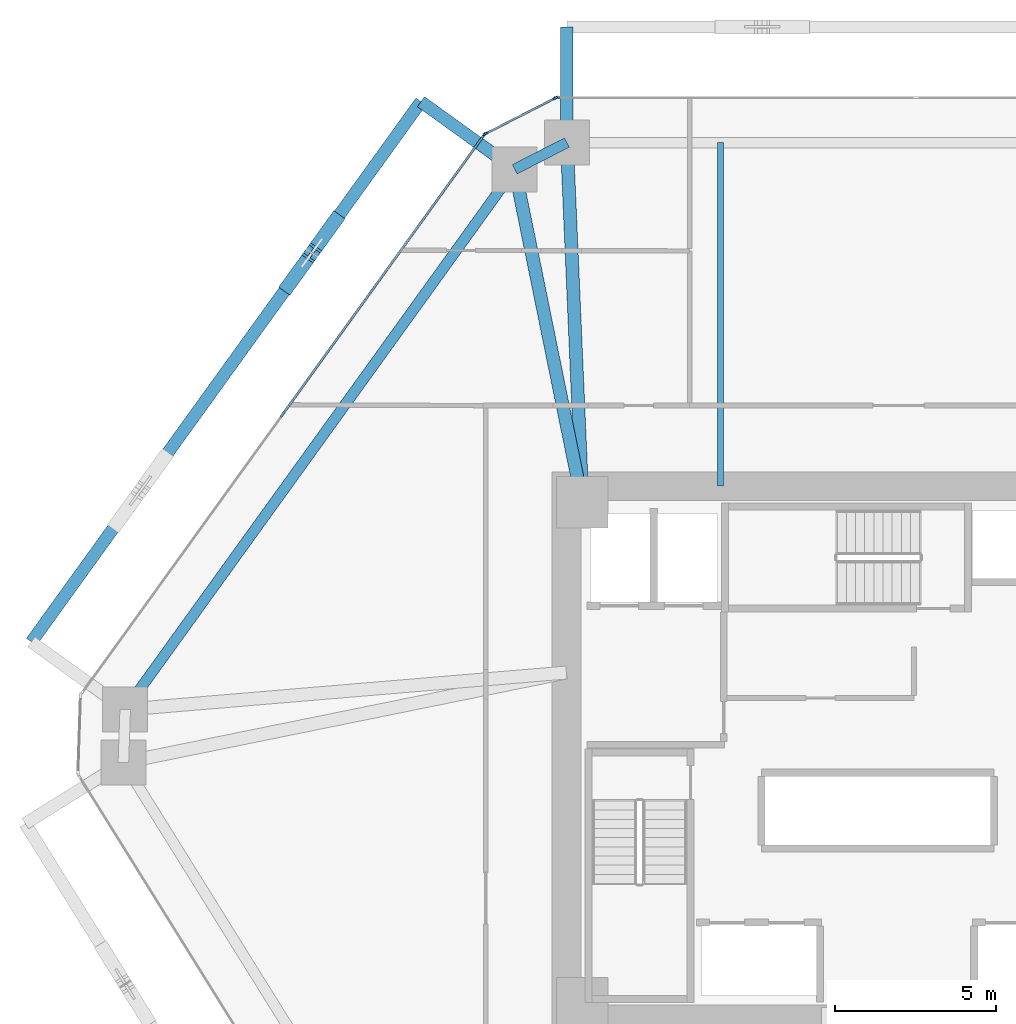
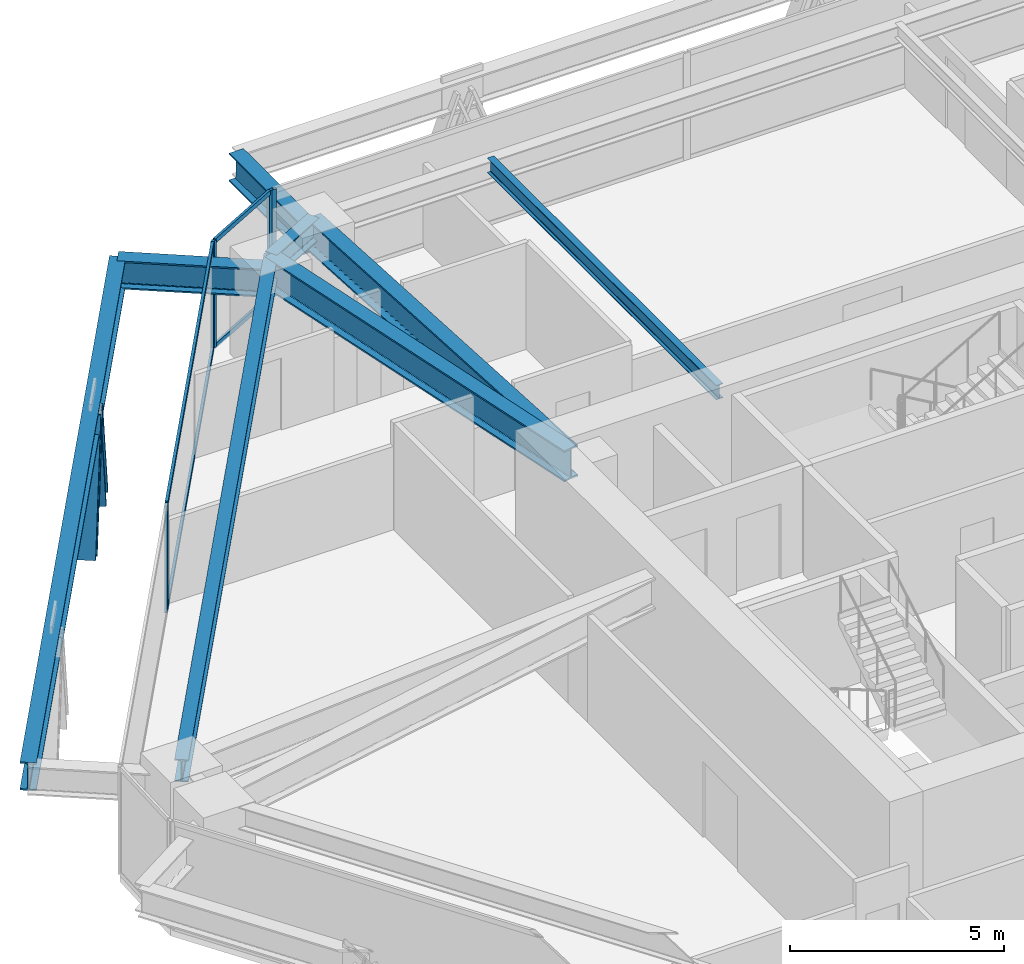
# One storey, part 7 of 17: 11 members, 8 beams, 3 elements without a shape of their own.
"""IFC4 building model written with IfcOpenShell, lengths in metres."""

from ifc_helpers import new_model, si_unit, direction, frame, origin, origin_2d, place, context, subcontext, project, spatial, rectangle, i_section, extrude, source, transform, mapped, material, layer, layer_set, material_profile, profile_set, type_object, type_shapes, element, aggregate, save


model = new_model("IFC4")

# Units and contexts
model_context = context("Model", 3, precision=1e-05, world=origin(), true_north=direction((0.0, 1.0)))
body_context = subcontext(model_context, "Body", "Model", "MODEL_VIEW")
ifc_project = project(units=[si_unit("LENGTHUNIT", "METRE"), si_unit("AREAUNIT", "SQUARE_METRE"), si_unit("VOLUMEUNIT", "CUBIC_METRE"), si_unit("PLANEANGLEUNIT", "RADIAN"), si_unit("MASSUNIT", "GRAM", prefix="KILO")], contexts=[model_context])

# Site, building, storey
site_placement = place(None, origin())
site = spatial("IfcSite", under=ifc_project, at=site_placement, CompositionType="ELEMENT")
building_placement = place(site_placement, origin())
building = spatial("IfcBuilding", under=site, at=building_placement, Name="Durnholm Broadcast Tower", CompositionType="ELEMENT")
storey_placement = place(building_placement, frame((0.0, 0.0, 58.800048828125)))
storey = spatial("IfcBuildingStorey", under=building, at=storey_placement, Name="L14", CompositionType="ELEMENT", Elevation=58.800048828125)

# Beams
ifc_material_1 = material(Name="Steel ASTM A992 Grade 50", Category="steel")
ifc_material_profile_1 = material_profile(ifc_material_1, i_section(OverallWidth=0.3291015625, OverallDepth=0.635009765625, WebThickness=0.017822265625, FlangeThickness=0.031005859375, FilletRadius=0.02783203125, at=origin_2d()), Name="W24X162")
ifc_profile_set_1 = profile_set([ifc_material_profile_1], Name="Steel ASTM A992 Grade 50")
beam_type_1 = type_object("IfcBeamType", Name="STL-SP-W24X162", PredefinedType="SPANDREL", material=ifc_profile_set_1)
shared_shape_1 = source(origin(), body_context, "Body", "SweptSolid", [
    extrude(i_section(OverallWidth=0.3291015625, OverallDepth=0.635009765625, WebThickness=0.017822265625, FlangeThickness=0.031005859375, FilletRadius=0.02783203125, at=origin_2d()), origin(), (0.0, 0.0, 1.0), 20.737060546875),
])
beam_1_placement = place(storey_placement, frame((-24.034912109375, 1.347412109375, 2.7275390625), z_axis=(0.584821933191, 0.811161701795, 0.0), x_axis=(-0.811161701795, 0.584821933191, 0.0)))
element("IfcBeam", 1, at=beam_1_placement, inside=storey, type_object=beam_type_1, Name="L14 perimeter spandrel girder 03", PredefinedType="SPANDREL", context=body_context, shape_type="MappedRepresentation", body=[
    mapped(shared_shape_1, transform((0.0, 0.0, 0.0), x_axis=(1.0, 0.0, 0.0), y_axis=(0.0, 1.0, 0.0), z_axis=(0.0, 0.0, 1.0), scale=1.0)),
])
shared_shape_2 = source(origin(), body_context, "Body", "SweptSolid", [
    extrude(i_section(OverallWidth=0.3291015625, OverallDepth=0.635009765625, WebThickness=0.017822265625, FlangeThickness=0.031005859375, FilletRadius=0.02783203125, at=origin_2d()), origin(), (0.0, 0.0, 1.0), 1.8251953125),
])
type_shapes(beam_type_1, [shared_shape_1, shared_shape_2])
beam_2_placement = place(storey_placement, frame((-11.907470703125, 18.16845703125, 2.7275390625), z_axis=(0.890187609501, 0.455594139438, 0.0), x_axis=(-0.455594139438, 0.890187609501, 0.0)))
element("IfcBeam", 2, at=beam_2_placement, inside=storey, type_object=beam_type_1, Name="L14 perimeter spandrel girder 04", PredefinedType="SPANDREL", context=body_context, shape_type="MappedRepresentation", body=[
    mapped(shared_shape_2, transform((0.0, 0.0, 0.0), x_axis=(1.0, 0.0, 0.0), y_axis=(0.0, 1.0, 0.0), z_axis=(0.0, 0.0, 1.0), scale=1.0)),
])
ifc_material_profile_2 = material_profile(ifc_material_1, i_section(OverallWidth=0.404052734375, OverallDepth=0.885009765625, WebThickness=0.0244140625, FlangeThickness=0.0439453125, FilletRadius=0.03564453125, at=origin_2d()), Name="W33X291")
ifc_profile_set_2 = profile_set([ifc_material_profile_2], Name="Steel ASTM A992 Grade 50")
beam_type_2 = type_object("IfcBeamType", Name="STL-GR-W33X291", PredefinedType="USERDEFINED", material=ifc_profile_set_2)
shared_shape_3 = source(origin(), body_context, "Body", "SweptSolid", [
    extrude(i_section(OverallWidth=0.404052734375, OverallDepth=0.885009765625, WebThickness=0.0244140625, FlangeThickness=0.0439453125, FilletRadius=0.03564453125, at=origin_2d()), origin(), (0.0, 0.0, 1.0), 10.580322265625),
])
beam_3_placement = place(storey_placement, frame((-9.800048828125, 7.800048828125, 2.6025390625), z_axis=(-0.199181458925, 0.979962625012, 0.0), x_axis=(-0.979962625012, -0.199181458925, 0.0)))
element("IfcBeam", 3, at=beam_3_placement, inside=storey, type_object=beam_type_2, Name="L14 radial primary floor girder 04", ObjectType="GIRDER", PredefinedType="USERDEFINED", context=body_context, shape_type="MappedRepresentation", body=[
    mapped(shared_shape_3, transform((0.0, 0.0, 0.0), x_axis=(1.0, 0.0, 0.0), y_axis=(0.0, 1.0, 0.0), z_axis=(0.0, 0.0, 1.0), scale=1.0)),
])
shared_shape_4 = source(origin(), body_context, "Body", "SweptSolid", [
    extrude(i_section(OverallWidth=0.404052734375, OverallDepth=0.885009765625, WebThickness=0.0244140625, FlangeThickness=0.0439453125, FilletRadius=0.03564453125, at=origin_2d()), origin(), (0.0, 0.0, 1.0), 11.21044921875),
])
type_shapes(beam_type_2, [shared_shape_3, shared_shape_4])
beam_4_placement = place(storey_placement, frame((-9.800048828125, 7.800048828125, 2.6025390625), z_axis=(-0.043055404914, 0.999072686098, 0.0), x_axis=(-0.999072686098, -0.043055404914, 0.0)))
element("IfcBeam", 4, at=beam_4_placement, inside=storey, type_object=beam_type_2, Name="L14 radial primary floor girder 05", ObjectType="GIRDER", PredefinedType="USERDEFINED", context=body_context, shape_type="MappedRepresentation", body=[
    mapped(shared_shape_4, transform((0.0, 0.0, 0.0), x_axis=(1.0, 0.0, 0.0), y_axis=(0.0, 1.0, 0.0), z_axis=(0.0, 0.0, 1.0), scale=1.0)),
])
ifc_material_profile_3 = material_profile(ifc_material_1, i_section(OverallWidth=0.180908203125, OverallDepth=0.417236328125, WebThickness=0.010986328125, FlangeThickness=0.018310546875, FilletRadius=0.01904296875, at=origin_2d()), Name="W16X57")
ifc_profile_set_3 = profile_set([ifc_material_profile_3], Name="Steel ASTM A992 Grade 50")
beam_type_3 = type_object("IfcBeamType", Name="STL-BJ-W16X57", PredefinedType="JOIST", material=ifc_profile_set_3)
shared_shape_5 = source(origin(), body_context, "Body", "SweptSolid", [
    extrude(i_section(OverallWidth=0.180908203125, OverallDepth=0.417236328125, WebThickness=0.010986328125, FlangeThickness=0.018310546875, FilletRadius=0.01904296875, at=origin_2d()), origin(), (0.0, 0.0, 1.0), 10.699951171875),
])
type_shapes(beam_type_3, [shared_shape_5])
beam_5_placement = place(storey_placement, frame((-5.5, 8.300048828125, 2.83642578125), z_axis=(0.0, 1.0, 0.0), x_axis=(-1.0, 0.0, 0.0)))
element("IfcBeam", 5, at=beam_5_placement, inside=storey, type_object=beam_type_3, Name="L14 secondary floor joist 3.2", PredefinedType="JOIST", context=body_context, shape_type="MappedRepresentation", body=[
    mapped(shared_shape_5, transform((0.0, 0.0, 0.0), x_axis=(1.0, 0.0, 0.0), y_axis=(0.0, 1.0, 0.0), z_axis=(0.0, 0.0, 1.0), scale=1.0)),
])
ifc_material_profile_4 = material_profile(ifc_material_1, i_section(OverallWidth=0.385009765625, OverallDepth=0.802978515625, WebThickness=0.023681640625, FlangeThickness=0.0419921875, FilletRadius=0.032958984375, at=origin_2d()), Name="W30X261")
ifc_profile_set_4 = profile_set([ifc_material_profile_4], Name="Steel ASTM A992 Grade 50")
beam_type_4 = type_object("IfcBeamType", Name="BM-EXO-TIE", PredefinedType="USERDEFINED", material=ifc_profile_set_4)
shared_shape_6 = source(origin(), body_context, "Body", "SweptSolid", [
    extrude(i_section(OverallWidth=0.385009765625, OverallDepth=0.802978515625, WebThickness=0.023681640625, FlangeThickness=0.0419921875, FilletRadius=0.032958984375, at=origin_2d()), origin(), (0.0, 0.0, 1.0), 3.4560546875),
])
for number, where, z_axis, x_axis, name in (
    (6, (-10.28271484375, 19.14404296875, 2.30859375), (0.0, 1.0, 0.0), (-1.0, 0.0, 0.0), "L14 exoskeleton stand-off tie bracket F4.2"),
    (7, (-12.024169921875, 18.252685546875, 2.30859375), (-0.811157675106, 0.584827518262, 0.0), (-0.584827518262, -0.811157675106, 0.0), "L14 exoskeleton stand-off tie bracket F5.1"),
):
    element("IfcBeam", number, at=place(storey_placement, frame(where, z_axis=z_axis, x_axis=x_axis)), inside=storey, type_object=beam_type_4, Name=name, ObjectType="GIRDER", PredefinedType="USERDEFINED", context=body_context, shape_type="MappedRepresentation", body=[
        mapped(shared_shape_6, transform((0.0, 0.0, 0.0), x_axis=(1.0, 0.0, 0.0), y_axis=(0.0, 1.0, 0.0), z_axis=(0.0, 0.0, 1.0), scale=1.0)),
    ])
shared_shape_7 = source(origin(), body_context, "Body", "SweptSolid", [
    extrude(i_section(OverallWidth=0.385009765625, OverallDepth=0.802978515625, WebThickness=0.023681640625, FlangeThickness=0.0419921875, FilletRadius=0.032958984375, at=origin_2d()), origin(), (0.0, 0.0, 1.0), 20.737060546875),
])
type_shapes(beam_type_4, [shared_shape_6, shared_shape_7])
beam_6_placement = place(storey_placement, frame((-14.82763671875, 20.27392578125, 2.30859375), z_axis=(-0.5848163482, -0.811165728368, 0.0), x_axis=(0.811165728368, -0.5848163482, 0.0)))
element("IfcBeam", 8, at=beam_6_placement, inside=storey, type_object=beam_type_4, Name="L14 exoskeleton collector spandrel F5", PredefinedType="SPANDREL", context=body_context, shape_type="MappedRepresentation", body=[
    mapped(shared_shape_7, transform((0.0, 0.0, 0.0), x_axis=(1.0, 0.0, 0.0), y_axis=(0.0, 1.0, 0.0), z_axis=(0.0, 0.0, 1.0), scale=1.0)),
])

# Members
ifc_material_2 = material(Name="Steel ASTM A913 Grade 65", Category="steel")
ifc_material_profile_5 = material_profile(ifc_material_2, i_section(OverallWidth=0.43212890625, OverallDepth=0.497802734375, WebThickness=0.0556640625, FlangeThickness=0.0888671875, FilletRadius=0.030517578125, at=origin_2d()), Name="W14X500")
ifc_profile_set_5 = profile_set([ifc_material_profile_5], Name="Steel ASTM A913 Grade 65")
member_type_1 = type_object("IfcMemberType", Name="STL-DG-W14X500", PredefinedType="BRACE", material=ifc_profile_set_5)
shared_shape_8 = source(origin(), body_context, "Body", "SweptSolid", [
    extrude(i_section(OverallWidth=0.43212890625, OverallDepth=0.497802734375, WebThickness=0.0556640625, FlangeThickness=0.0888671875, FilletRadius=0.030517578125, at=origin_2d()), origin(), (0.0, 0.0, 1.0), 3.523193359375),
])
type_shapes(member_type_1, [shared_shape_8])
for number, where, z_axis, x_axis, name in (
    (9, (-17.501708984375, 16.564697265625, -0.991455078125), (-0.204839138341, -0.284044529113, 0.93667477434), (0.81109123444, -0.58491966065, 0.0), "L14 stand-off diagrid brace F5.D1.1"),
    (10, (-18.94482421875, 14.563232421875, -0.991455078125), (0.20477274847, 0.284048560399, 0.936688068046), (-0.811185111535, 0.584789461963, 0.0), "L14 stand-off diagrid brace F5.D1.2"),
):
    element("IfcMember", number, at=place(storey_placement, frame(where, z_axis=z_axis, x_axis=x_axis)), inside=storey, type_object=member_type_1, Name=name, PredefinedType="BRACE", context=body_context, shape_type="MappedRepresentation", body=[
        mapped(shared_shape_8, transform((0.0, 0.0, 0.0), x_axis=(1.0, 0.0, 0.0), y_axis=(0.0, 1.0, 0.0), z_axis=(0.0, 0.0, 1.0), scale=1.0)),
    ])

# Curtain wall, members
ifc_material_3 = material(Name="Aluminium and Solar Control IGU", Category="aluminium")
ifc_layer_1 = layer(ifc_material_3, 0.1650390625)
ifc_layer_set_1 = layer_set([ifc_layer_1], Name="Aluminium and Solar Control IGU")
curtain_wall_type_1 = type_object("IfcCurtainWallType", Name="CW-SYS-5", PredefinedType="NOTDEFINED", material=ifc_layer_set_1)
curtain_wall_1_placement = place(storey_placement, origin())
curtain_wall_1 = element("IfcCurtainWall", 11, at=curtain_wall_1_placement, inside=storey, type_object=curtain_wall_type_1, Name="L14 curtain wall CW-CORNER CW-L14-CRN-03", PredefinedType="NOTDEFINED")
ifc_material_4 = material(Name="Aluminium 6063-T6", Category="aluminium")
ifc_material_profile_6 = material_profile(ifc_material_4, rectangle(XDim=0.06494140625, YDim=0.1650390625, at=origin_2d()), Name="CWM65X165")
ifc_profile_set_6 = profile_set([ifc_material_profile_6], Name="Aluminium 6063-T6")
member_type_2 = type_object("IfcMemberType", Name="CW-SYS-5-MUL", PredefinedType="MULLION", material=ifc_profile_set_6)
shared_shape_9 = source(origin(), body_context, "Body", "SweptSolid", [
    extrude(rectangle(XDim=0.06494140625, YDim=0.1650390625, at=origin_2d()), origin(), (0.0, 0.0, 1.0), 3.06005859375),
])
type_shapes(member_type_2, [shared_shape_9])
member_1_placement = place(storey_placement, frame((-12.816650390625, 19.27587890625, 0.0), z_axis=(0.0, 0.0, 1.0), x_axis=(-0.455593758406, 0.890187804512, 0.0)))
member_1 = element("IfcMember", 12, at=member_1_placement, type_object=member_type_2, Name="CW-CORNER mullion 1", PredefinedType="MULLION", context=body_context, shape_type="MappedRepresentation", body=[
    mapped(shared_shape_9, transform((0.0, 0.0, 0.0), x_axis=(1.0, 0.0, 0.0), y_axis=(0.0, 1.0, 0.0), z_axis=(0.0, 0.0, 1.0), scale=1.0)),
])
member_2_placement = place(storey_placement, frame((-10.649169921875, 20.38525390625, 0.0), z_axis=(0.0, 0.0, 1.0), x_axis=(-0.455593758406, 0.890187804512, 0.0)))
member_2 = element("IfcMember", 13, at=member_2_placement, type_object=member_type_2, Name="CW-CORNER mullion 2", PredefinedType="MULLION", context=body_context, shape_type="MappedRepresentation", body=[
    mapped(shared_shape_9, transform((0.0, 0.0, 0.0), x_axis=(1.0, 0.0, 0.0), y_axis=(0.0, 1.0, 0.0), z_axis=(0.0, 0.0, 1.0), scale=1.0)),
])
ifc_material_profile_7 = material_profile(ifc_material_4, rectangle(XDim=0.06494140625, YDim=0.1298828125, at=origin_2d()), Name="CWT65X130")
ifc_profile_set_7 = profile_set([ifc_material_profile_7], Name="Aluminium 6063-T6")
member_type_3 = type_object("IfcMemberType", Name="CW-SYS-5-TRN", PredefinedType="USERDEFINED", material=ifc_profile_set_7)
shared_shape_10 = source(origin(), body_context, "Body", "SweptSolid", [
    extrude(rectangle(XDim=0.06494140625, YDim=0.1298828125, at=origin_2d()), origin(), (0.0, 0.0, 1.0), 2.3701171875),
])
type_shapes(member_type_3, [shared_shape_10])
member_3_placement = place(storey_placement, frame((-12.787841796875, 19.29052734375, 0.032470703125), z_axis=(0.890185016934, 0.455599205033, 0.0), x_axis=(-0.455599205033, 0.890185016934, 0.0)))
member_3 = element("IfcMember", 14, at=member_3_placement, type_object=member_type_3, Name="CW-CORNER transom 1.1", ObjectType="TRANSOM", PredefinedType="USERDEFINED", context=body_context, shape_type="MappedRepresentation", body=[
    mapped(shared_shape_10, transform((0.0, 0.0, 0.0), x_axis=(1.0, 0.0, 0.0), y_axis=(0.0, 1.0, 0.0), z_axis=(0.0, 0.0, 1.0), scale=1.0)),
])
member_4_placement = place(storey_placement, frame((-12.787841796875, 19.29052734375, 3.02734375), z_axis=(0.890185016934, 0.455599205033, 0.0), x_axis=(-0.455599205033, 0.890185016934, 0.0)))
member_4 = element("IfcMember", 15, at=member_4_placement, type_object=member_type_3, Name="CW-CORNER transom 1.2", ObjectType="TRANSOM", PredefinedType="USERDEFINED", context=body_context, shape_type="MappedRepresentation", body=[
    mapped(shared_shape_10, transform((0.0, 0.0, 0.0), x_axis=(1.0, 0.0, 0.0), y_axis=(0.0, 1.0, 0.0), z_axis=(0.0, 0.0, 1.0), scale=1.0)),
])
aggregate(curtain_wall_1, [member_1, member_2, member_3, member_4])

ifc_layer_2 = layer(ifc_material_3, 0.18994140625)
ifc_layer_set_2 = layer_set([ifc_layer_2], Name="Aluminium and Solar Control IGU")
curtain_wall_type_2 = type_object("IfcCurtainWallType", Name="CW-SYS-3", PredefinedType="NOTDEFINED", material=ifc_layer_set_2)
curtain_wall_2_placement = place(storey_placement, origin())
curtain_wall_2 = element("IfcCurtainWall", 16, at=curtain_wall_2_placement, inside=storey, type_object=curtain_wall_type_2, Name="L14 curtain wall CW-Z12-VIS CW-L14-F02", PredefinedType="NOTDEFINED")
ifc_material_profile_8 = material_profile(ifc_material_4, rectangle(XDim=0.070068359375, YDim=0.18994140625, at=origin_2d()), Name="CWM70X190")
ifc_profile_set_8 = profile_set([ifc_material_profile_8], Name="Aluminium 6063-T6")
member_type_4 = type_object("IfcMemberType", Name="CW-SYS-3-MUL", PredefinedType="MULLION", material=ifc_profile_set_8)
shared_shape_11 = source(origin(), body_context, "Body", "SweptSolid", [
    extrude(rectangle(XDim=0.070068359375, YDim=0.18994140625, at=origin_2d()), origin(), (0.0, 0.0, 1.0), 3.06005859375),
])
type_shapes(member_type_4, [shared_shape_11])
member_5_placement = place(storey_placement, frame((-19.1328125, 10.540771484375, 0.0), z_axis=(0.0, 0.0, 1.0), x_axis=(-0.81116057493, 0.584823496176, 0.0)))
member_5 = element("IfcMember", 17, at=member_5_placement, type_object=member_type_4, Name="CW-Z12-VIS mullion 2", PredefinedType="MULLION", context=body_context, shape_type="MappedRepresentation", body=[
    mapped(shared_shape_11, transform((0.0, 0.0, 0.0), x_axis=(1.0, 0.0, 0.0), y_axis=(0.0, 1.0, 0.0), z_axis=(0.0, 0.0, 1.0), scale=1.0)),
])
member_6_placement = place(storey_placement, frame((-12.8662109375, 19.232666015625, 0.0), z_axis=(0.0, 0.0, 1.0), x_axis=(-0.81116057493, 0.584823496176, 0.0)))
member_6 = element("IfcMember", 18, at=member_6_placement, type_object=member_type_4, Name="CW-Z12-VIS mullion 3", PredefinedType="MULLION", context=body_context, shape_type="MappedRepresentation", body=[
    mapped(shared_shape_11, transform((0.0, 0.0, 0.0), x_axis=(1.0, 0.0, 0.0), y_axis=(0.0, 1.0, 0.0), z_axis=(0.0, 0.0, 1.0), scale=1.0)),
])

# Curtain wall, member
curtain_wall_3_placement = place(storey_placement, origin())
curtain_wall_3 = element("IfcCurtainWall", 19, at=curtain_wall_3_placement, inside=storey, type_object=curtain_wall_type_2, Name="L14 curtain wall CW-Z12-VIS CW-L14-F04", PredefinedType="NOTDEFINED")
member_7_placement = place(storey_placement, frame((-10.585205078125, 20.39990234375, 0.0), z_axis=(0.0, 0.0, 1.0), x_axis=(0.0, 1.0, 0.0)))
member_7 = element("IfcMember", 20, at=member_7_placement, type_object=member_type_4, Name="CW-Z12-VIS mullion 1", PredefinedType="MULLION", context=body_context, shape_type="MappedRepresentation", body=[
    mapped(shared_shape_11, transform((0.0, 0.0, 0.0), x_axis=(1.0, 0.0, 0.0), y_axis=(0.0, 1.0, 0.0), z_axis=(0.0, 0.0, 1.0), scale=1.0)),
])
aggregate(curtain_wall_3, [member_7])

# Member
ifc_material_profile_9 = material_profile(ifc_material_4, rectangle(XDim=0.070068359375, YDim=0.14990234375, at=origin_2d()), Name="CWT70X150")
ifc_profile_set_9 = profile_set([ifc_material_profile_9], Name="Aluminium 6063-T6")
member_type_5 = type_object("IfcMemberType", Name="CW-SYS-3-TRN", PredefinedType="USERDEFINED", material=ifc_profile_set_9)
shared_shape_12 = source(origin(), body_context, "Body", "SweptSolid", [
    extrude(rectangle(XDim=0.070068359375, YDim=0.14990234375, at=origin_2d()), origin(), (0.0, 0.0, 1.0), 10.645263671875),
])
type_shapes(member_type_5, [shared_shape_12])
member_8_placement = place(storey_placement, frame((-19.1123046875, 10.569091796875, 0.034912109375), z_axis=(0.584822983179, 0.811160944786, 0.0), x_axis=(-0.811160944786, 0.584822983179, 0.0)))
member_8 = element("IfcMember", 21, at=member_8_placement, type_object=member_type_5, Name="CW-Z12-VIS transom 2.1", ObjectType="TRANSOM", PredefinedType="USERDEFINED", context=body_context, shape_type="MappedRepresentation", body=[
    mapped(shared_shape_12, transform((0.0, 0.0, 0.0), x_axis=(1.0, 0.0, 0.0), y_axis=(0.0, 1.0, 0.0), z_axis=(0.0, 0.0, 1.0), scale=1.0)),
])

member_9_placement = place(storey_placement, frame((-19.1123046875, 10.569091796875, 3.02490234375), z_axis=(0.584822983179, 0.811160944786, 0.0), x_axis=(-0.811160944786, 0.584822983179, 0.0)))
member_9 = element("IfcMember", 22, at=member_9_placement, type_object=member_type_5, Name="CW-Z12-VIS transom 2.2", ObjectType="TRANSOM", PredefinedType="USERDEFINED", context=body_context, shape_type="MappedRepresentation", body=[
    mapped(shared_shape_12, transform((0.0, 0.0, 0.0), x_axis=(1.0, 0.0, 0.0), y_axis=(0.0, 1.0, 0.0), z_axis=(0.0, 0.0, 1.0), scale=1.0)),
])

aggregate(curtain_wall_2, [member_5, member_6, member_8, member_9])

save(model, "model.ifc")
